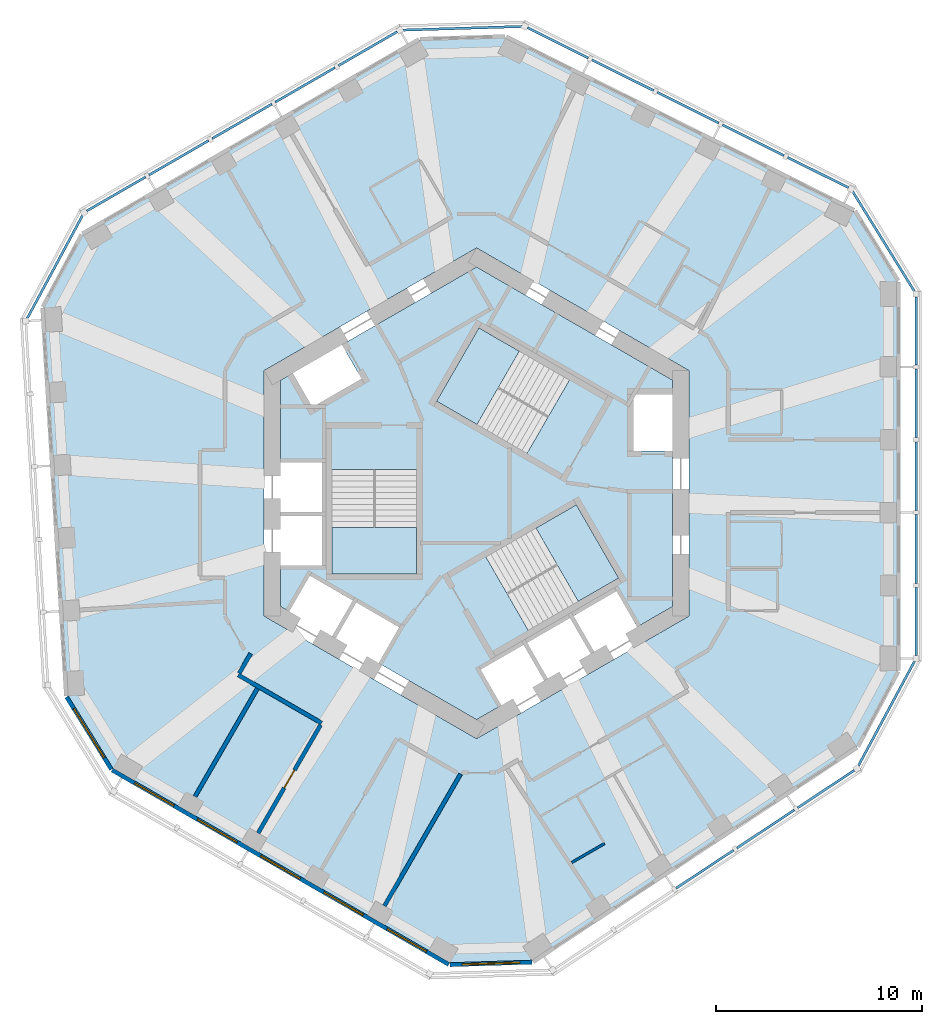
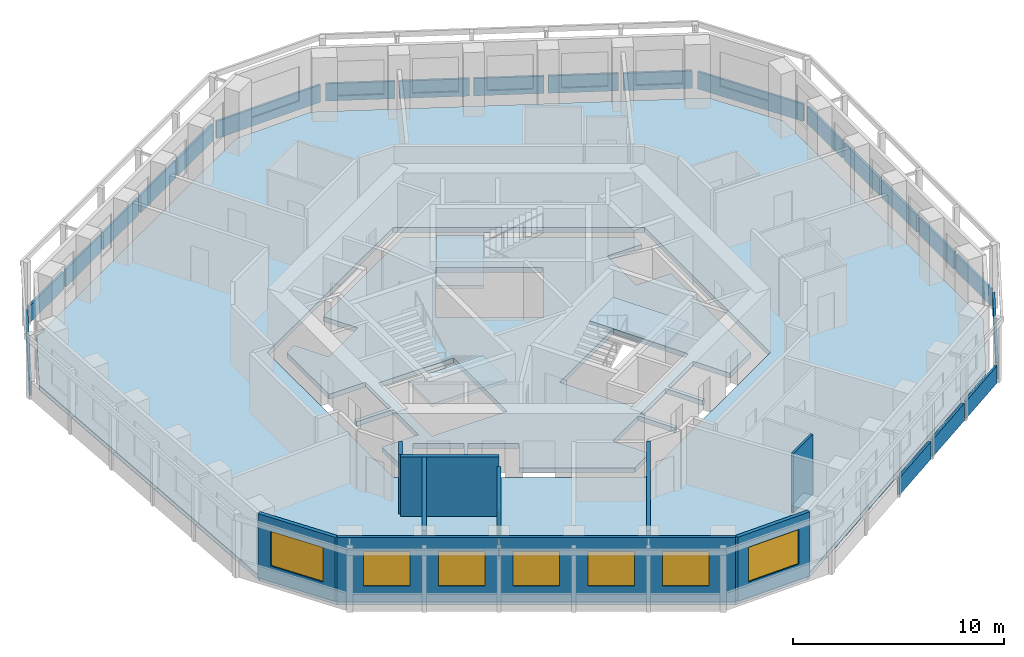
# One storey, part 3 of 11: 22 plates, 9 walls, 7 windows, 5 slabs, 1 door, 8 openings, 11 elements without a shape of their own.
"""IFC4 building model written with IfcOpenShell, lengths in metres."""

from ifc_helpers import new_model, si_unit, direction, frame, frame_2d, origin, origin_2d, place, context, subcontext, project, spatial, polyline, rectangle, outline, extrude, material, layer, layer_set, type_object, element, fill, aggregate, save


model = new_model("IFC4")

# Units and contexts
model_context = context("Model", 3, precision=1e-05, world=origin(), true_north=direction((0.0, 1.0)))
body_context = subcontext(model_context, "Body", "Model", "MODEL_VIEW")
ifc_project = project(units=[si_unit("LENGTHUNIT", "METRE"), si_unit("AREAUNIT", "SQUARE_METRE"), si_unit("VOLUMEUNIT", "CUBIC_METRE"), si_unit("PLANEANGLEUNIT", "RADIAN"), si_unit("MASSUNIT", "GRAM", prefix="KILO")], contexts=[model_context])

# Site, building, storey
site_placement = place(None, origin())
site = spatial("IfcSite", under=ifc_project, at=site_placement, CompositionType="ELEMENT")
building_placement = place(site_placement, origin())
building = spatial("IfcBuilding", under=site, at=building_placement, Name="Vanh Sen Convention Tower", CompositionType="ELEMENT")
storey_placement = place(building_placement, frame((0.0, 0.0, 221.699951171875)))
storey = spatial("IfcBuildingStorey", under=building, at=storey_placement, Name="L54", CompositionType="ELEMENT", Elevation=221.699951171875)

# Slabs
ifc_material_1 = material(Name="Concrete C40/50", Category="concrete")
ifc_layer_1 = layer(ifc_material_1, 0.280029296875)
ifc_layer_set_1 = layer_set([ifc_layer_1], Name="Concrete C40/50")
slab_type_1 = type_object("IfcSlabType", Name="Core slab 280", PredefinedType="FLOOR", material=ifc_layer_set_1)
slab_1_placement = place(storey_placement, frame((0.0, 0.0, -0.280029296875)))
element("IfcSlab", 1, at=slab_1_placement, inside=storey, type_object=slab_type_1, Name="Core slab L54", PredefinedType="FLOOR", context=body_context, shape_type="SweptSolid", body=[
    extrude(outline(polyline([(0.0, 10.9697265625), (9.5, 5.48486328125), (9.5, 4.800048828125), (7.60009765625, 4.800048828125), (7.60009765625, 2.050048828125), (9.5, 2.050048828125), (9.5, -5.48486328125), (7.781005859375, -6.477294921875), (6.781005859375, -4.7451171875), (4.70263671875, -5.9453125), (5.70263671875, -7.67724609375), (5.529296875, -7.777099609375), (4.529296875, -6.045166015625), (2.450927734375, -7.2451171875), (3.450927734375, -8.977294921875), (3.27783203125, -9.0771484375), (2.27783203125, -7.34521484375), (0.19921875, -8.545166015625), (1.19921875, -10.277099609375), (0.0, -10.9697265625), (-4.75, -8.227294921875), (-3.75, -6.4951171875), (-5.82861328125, -5.295166015625), (-6.82861328125, -7.027099609375), (-7.001708984375, -6.92724609375), (-6.001708984375, -5.1953125), (-8.080078125, -3.9951171875), (-9.080078125, -5.727294921875), (-9.5, -5.48486328125), (-9.5, -3.5), (-7.5, -3.5), (-7.5, -1.10009765625), (-9.5, -1.10009765625), (-9.5, -0.89990234375), (-7.5, -0.89990234375), (-7.5, 1.5), (-9.5, 1.5), (-9.5, 5.48486328125), (-8.906982421875, 5.8271484375), (-7.956787109375, 4.181884765625), (-5.575439453125, 5.556884765625), (-6.525390625, 7.2021484375), (0.0, 10.9697265625)]), holes=[polyline([(-7.0, 1.1494140625), (-7.0, -3.909912109375), (-2.89990234375, -3.909912109375), (-2.89990234375, 1.1494140625), (-7.0, 1.1494140625)]), polyline([(2.504638671875, -6.63671875), (6.88623046875, -4.107177734375), (4.836181640625, -0.556396484375), (0.45458984375, -3.086181640625), (2.504638671875, -6.63671875)]), polyline([(0.11376953125, 8.01708984375), (-1.936279296875, 4.466552734375), (2.4453125, 1.936767578125), (4.495361328125, 5.487548828125), (0.11376953125, 8.01708984375)])]), origin(), (0.0, 0.0, 1.0), 0.280029296875),
])
ifc_layer_2 = layer(ifc_material_1, 0.280029296875)
ifc_layer_set_2 = layer_set([ifc_layer_2], Name="Concrete C40/50")
slab_type_2 = type_object("IfcSlabType", Name="Floor slab 280 REI 120", PredefinedType="FLOOR", material=ifc_layer_set_2)
slab_2_placement = place(storey_placement, frame((0.0, 0.0, -0.280029296875)))
element("IfcSlab", 2, at=slab_2_placement, inside=storey, type_object=slab_type_2, Name="Floor slab L54 tower", PredefinedType="FLOOR", context=body_context, shape_type="SweptSolid", body=[
    extrude(outline(polyline([(20.39990234375, -8.602783203125), (20.39990234375, 10.265380859375), (18.289306640625, 13.67626953125), (1.403564453125, 22.09521484375), (-2.749755859375, 21.96826171875), (-19.090087890625, 12.5341796875), (-20.988525390625, 9.000732421875), (-19.8369140625, -9.83203125), (-17.650146484375, -13.365478515625), (-1.309814453125, -22.799560546875), (2.699462890625, -22.677001953125), (18.433349609375, -12.26318359375), (20.39990234375, -8.602783203125)]), holes=[polyline([(0.0, 11.893310546875), (-10.300048828125, 5.94677734375), (-10.300048828125, -5.94677734375), (0.0, -11.893310546875), (10.300048828125, -5.94677734375), (10.300048828125, 5.94677734375), (0.0, 11.893310546875)])]), origin(), (0.0, 0.0, 1.0), 0.280029296875),
])

# Curtain wall, plates
ifc_material_2 = material(Name="Concrete C50/60", Category="concrete")
curtain_wall_type = type_object("IfcCurtainWallType", Name="Outer skin office zone", PredefinedType="NOTDEFINED", material=ifc_material_2)
curtain_wall_1_placement = place(storey_placement, origin())
curtain_wall_1 = element("IfcCurtainWall", 3, at=curtain_wall_1_placement, inside=storey, type_object=curtain_wall_type, Name="OUTER SKIN E L54", PredefinedType="NOTDEFINED")
ifc_layer_3 = layer(ifc_material_2, 0.1201171875)
ifc_layer_set_3 = layer_set([ifc_layer_3], Name="Concrete C50/60")
plate_type = type_object("IfcPlateType", Name="Outer skin precast screen panel 120", PredefinedType="CURTAIN_PANEL", material=ifc_layer_set_3)
plate_1_placement = place(storey_placement, frame((21.300048828125, -6.2109375, 0.0), z_axis=(0.0, 0.0, 1.0), x_axis=(0.0, 1.0, 0.0)))
plate_1 = element("IfcPlate", 4, at=plate_1_placement, type_object=plate_type, Name="OUTER SKIN screen panel E-1", PredefinedType="CURTAIN_PANEL", context=body_context, shape_type="SweptSolid", body=[
    extrude(rectangle(XDim=3.28369140625, YDim=0.1201171875, at=origin_2d()), origin(), (0.0, 0.0, 1.0), 1.0),
])
plate_2_placement = place(storey_placement, frame((21.300048828125, -2.702392578125, 0.0), z_axis=(0.0, 0.0, 1.0), x_axis=(0.0, 1.0, 0.0)))
plate_2 = element("IfcPlate", 5, at=plate_2_placement, type_object=plate_type, Name="OUTER SKIN screen panel E-2", PredefinedType="CURTAIN_PANEL", context=body_context, shape_type="SweptSolid", body=[
    extrude(rectangle(XDim=3.333740234375, YDim=0.1201171875, at=origin_2d()), origin(), (0.0, 0.0, 1.0), 1.0),
])
plate_3_placement = place(storey_placement, frame((21.300048828125, 0.831298828125, 0.0), z_axis=(0.0, 0.0, 1.0), x_axis=(0.0, 1.0, 0.0)))
plate_3 = element("IfcPlate", 6, at=plate_3_placement, type_object=plate_type, Name="OUTER SKIN screen panel E-3", PredefinedType="CURTAIN_PANEL", context=body_context, shape_type="SweptSolid", body=[
    extrude(rectangle(XDim=3.33349609375, YDim=0.1201171875, at=origin_2d()), origin(), (0.0, 0.0, 1.0), 1.0),
])
plate_4_placement = place(storey_placement, frame((21.300048828125, 4.364990234375, 0.0), z_axis=(0.0, 0.0, 1.0), x_axis=(0.0, 1.0, 0.0)))
plate_4 = element("IfcPlate", 7, at=plate_4_placement, type_object=plate_type, Name="OUTER SKIN screen panel E-4", PredefinedType="CURTAIN_PANEL", context=body_context, shape_type="SweptSolid", body=[
    extrude(rectangle(XDim=3.33349609375, YDim=0.1201171875, at=origin_2d()), origin(), (0.0, 0.0, 1.0), 1.0),
])
plate_5_placement = place(storey_placement, frame((21.300048828125, 7.87353515625, 0.0), z_axis=(0.0, 0.0, 1.0), x_axis=(0.0, 1.0, 0.0)))
plate_5 = element("IfcPlate", 8, at=plate_5_placement, type_object=plate_type, Name="OUTER SKIN screen panel E-5", PredefinedType="CURTAIN_PANEL", context=body_context, shape_type="SweptSolid", body=[
    extrude(rectangle(XDim=3.28369140625, YDim=0.1201171875, at=origin_2d()), origin(), (0.0, 0.0, 1.0), 1.0),
])
aggregate(curtain_wall_1, [plate_1, plate_2, plate_3, plate_4, plate_5])

# Curtain wall, plate
curtain_wall_2_placement = place(storey_placement, origin())
curtain_wall_2 = element("IfcCurtainWall", 9, at=curtain_wall_2_placement, inside=storey, type_object=curtain_wall_type, Name="OUTER SKIN CH1 L54", PredefinedType="NOTDEFINED")
plate_6_placement = place(storey_placement, frame((19.726806640625, 12.20751953125, 0.0), z_axis=(0.0, 0.0, 1.0), x_axis=(-0.526216891938, 0.850350388157, 0.0)))
plate_6 = element("IfcPlate", 10, at=plate_6_placement, type_object=plate_type, Name="OUTER SKIN screen panel CH1-1", PredefinedType="CURTAIN_PANEL", context=body_context, shape_type="SweptSolid", body=[
    extrude(rectangle(XDim=5.6787109375, YDim=0.1201171875, at=origin_2d()), origin(), (0.0, 0.0, 1.0), 1.0),
])
aggregate(curtain_wall_2, [plate_6])

# Curtain wall, plates
curtain_wall_3_placement = place(storey_placement, origin())
curtain_wall_3 = element("IfcCurtainWall", 11, at=curtain_wall_3_placement, inside=storey, type_object=curtain_wall_type, Name="OUTER SKIN NE L54", PredefinedType="NOTDEFINED")
plate_7_placement = place(storey_placement, frame((16.55029296875, 15.549072265625, 0.0), z_axis=(0.0, 0.0, 1.0), x_axis=(-0.894930467757, 0.446205622868, 0.0)))
plate_7 = element("IfcPlate", 12, at=plate_7_placement, type_object=plate_type, Name="OUTER SKIN screen panel NE-1", PredefinedType="CURTAIN_PANEL", context=body_context, shape_type="SweptSolid", body=[
    extrude(rectangle(XDim=3.28369140625, YDim=0.1201171875, at=origin_2d()), origin(), (0.0, 0.0, 1.0), 1.0),
])
plate_8_placement = place(storey_placement, frame((13.410400390625, 17.114501953125, 0.0), z_axis=(0.0, 0.0, 1.0), x_axis=(-0.894935919121, 0.446194689197, 0.0)))
plate_8 = element("IfcPlate", 13, at=plate_8_placement, type_object=plate_type, Name="OUTER SKIN screen panel NE-2", PredefinedType="CURTAIN_PANEL", context=body_context, shape_type="SweptSolid", body=[
    extrude(rectangle(XDim=3.333740234375, YDim=0.1201171875, at=origin_2d()), origin(), (0.0, 0.0, 1.0), 1.0),
])
plate_9_placement = place(storey_placement, frame((10.248046875, 18.691162109375, 0.0), z_axis=(0.0, 0.0, 1.0), x_axis=(-0.894935919121, 0.446194689197, 0.0)))
plate_9 = element("IfcPlate", 14, at=plate_9_placement, type_object=plate_type, Name="OUTER SKIN screen panel NE-3", PredefinedType="CURTAIN_PANEL", context=body_context, shape_type="SweptSolid", body=[
    extrude(rectangle(XDim=3.333740234375, YDim=0.1201171875, at=origin_2d()), origin(), (0.0, 0.0, 1.0), 1.0),
])
plate_10_placement = place(storey_placement, frame((7.085693359375, 20.267822265625, 0.0), z_axis=(0.0, 0.0, 1.0), x_axis=(-0.894935919121, 0.446194689197, 0.0)))
plate_10 = element("IfcPlate", 15, at=plate_10_placement, type_object=plate_type, Name="OUTER SKIN screen panel NE-4", PredefinedType="CURTAIN_PANEL", context=body_context, shape_type="SweptSolid", body=[
    extrude(rectangle(XDim=3.333740234375, YDim=0.1201171875, at=origin_2d()), origin(), (0.0, 0.0, 1.0), 1.0),
])
plate_11_placement = place(storey_placement, frame((3.945556640625, 21.83349609375, 0.0), z_axis=(0.0, 0.0, 1.0), x_axis=(-0.894930467757, 0.446205622868, 0.0)))
plate_11 = element("IfcPlate", 16, at=plate_11_placement, type_object=plate_type, Name="OUTER SKIN screen panel NE-5", PredefinedType="CURTAIN_PANEL", context=body_context, shape_type="SweptSolid", body=[
    extrude(rectangle(XDim=3.28369140625, YDim=0.1201171875, at=origin_2d()), origin(), (0.0, 0.0, 1.0), 1.0),
])
aggregate(curtain_wall_3, [plate_7, plate_8, plate_9, plate_10, plate_11])

# Curtain wall, plate
curtain_wall_4_placement = place(storey_placement, origin())
curtain_wall_4 = element("IfcCurtainWall", 17, at=curtain_wall_4_placement, inside=storey, type_object=curtain_wall_type, Name="OUTER SKIN CH2 L54", PredefinedType="NOTDEFINED")
plate_12_placement = place(storey_placement, frame((-0.688720703125, 22.540283203125, 0.0), z_axis=(0.0, 0.0, 1.0), x_axis=(-0.999533430924, -0.030543746755, 0.0)))
plate_12 = element("IfcPlate", 18, at=plate_12_placement, type_object=plate_type, Name="OUTER SKIN screen panel CH2-1", PredefinedType="CURTAIN_PANEL", context=body_context, shape_type="SweptSolid", body=[
    extrude(rectangle(XDim=5.764404296875, YDim=0.1201171875, at=origin_2d()), origin(), (0.0, 0.0, 1.0), 1.0),
])
aggregate(curtain_wall_4, [plate_12])

# Curtain wall, plates
curtain_wall_5_placement = place(storey_placement, origin())
curtain_wall_5 = element("IfcCurtainWall", 19, at=curtain_wall_5_placement, inside=storey, type_object=curtain_wall_type, Name="OUTER SKIN NW L54", PredefinedType="NOTDEFINED")
plate_13_placement = place(storey_placement, frame((-5.271240234375, 21.5517578125, 0.0), z_axis=(0.0, 0.0, 1.0), x_axis=(-0.866026276448, -0.4999984885, 0.0)))
plate_13 = element("IfcPlate", 20, at=plate_13_placement, type_object=plate_type, Name="OUTER SKIN screen panel NW-1", PredefinedType="CURTAIN_PANEL", context=body_context, shape_type="SweptSolid", body=[
    extrude(rectangle(XDim=3.28369140625, YDim=0.1201171875, at=origin_2d()), origin(), (0.0, 0.0, 1.0), 1.0),
])
plate_14_placement = place(storey_placement, frame((-8.309814453125, 19.797607421875, 0.0), z_axis=(0.0, 0.0, 1.0), x_axis=(-0.866026276448, -0.4999984885, 0.0)))
plate_14 = element("IfcPlate", 21, at=plate_14_placement, type_object=plate_type, Name="OUTER SKIN screen panel NW-2", PredefinedType="CURTAIN_PANEL", context=body_context, shape_type="SweptSolid", body=[
    extrude(rectangle(XDim=3.33349609375, YDim=0.1201171875, at=origin_2d()), origin(), (0.0, 0.0, 1.0), 1.0),
])
plate_15_placement = place(storey_placement, frame((-11.369873046875, 18.03076171875, 0.0), z_axis=(0.0, 0.0, 1.0), x_axis=(-0.866026276448, -0.4999984885, 0.0)))
plate_15 = element("IfcPlate", 22, at=plate_15_placement, type_object=plate_type, Name="OUTER SKIN screen panel NW-3", PredefinedType="CURTAIN_PANEL", context=body_context, shape_type="SweptSolid", body=[
    extrude(rectangle(XDim=3.33349609375, YDim=0.1201171875, at=origin_2d()), origin(), (0.0, 0.0, 1.0), 1.0),
])
plate_16_placement = place(storey_placement, frame((-14.43017578125, 16.263916015625, 0.0), z_axis=(0.0, 0.0, 1.0), x_axis=(-0.866014058921, -0.500019649364, 0.0)))
plate_16 = element("IfcPlate", 23, at=plate_16_placement, type_object=plate_type, Name="OUTER SKIN screen panel NW-4", PredefinedType="CURTAIN_PANEL", context=body_context, shape_type="SweptSolid", body=[
    extrude(rectangle(XDim=3.333740234375, YDim=0.1201171875, at=origin_2d()), origin(), (0.0, 0.0, 1.0), 1.0),
])
plate_17_placement = place(storey_placement, frame((-17.46875, 14.509521484375, 0.0), z_axis=(0.0, 0.0, 1.0), x_axis=(-0.866033257659, -0.499986396443, 0.0)))
plate_17 = element("IfcPlate", 24, at=plate_17_placement, type_object=plate_type, Name="OUTER SKIN screen panel NW-5", PredefinedType="CURTAIN_PANEL", context=body_context, shape_type="SweptSolid", body=[
    extrude(rectangle(XDim=3.28369140625, YDim=0.1201171875, at=origin_2d()), origin(), (0.0, 0.0, 1.0), 1.0),
])
aggregate(curtain_wall_5, [plate_13, plate_14, plate_15, plate_16, plate_17])

# Curtain wall, plate
curtain_wall_6_placement = place(storey_placement, origin())
curtain_wall_6 = element("IfcCurtainWall", 25, at=curtain_wall_6_placement, inside=storey, type_object=curtain_wall_type, Name="OUTER SKIN CH3 L54", PredefinedType="NOTDEFINED")
plate_18_placement = place(storey_placement, frame((-20.435302734375, 10.980224609375, 0.0), z_axis=(0.0, 0.0, 1.0), x_axis=(-0.473307367584, -0.880897346909, 0.0)))
plate_18 = element("IfcPlate", 26, at=plate_18_placement, type_object=plate_type, Name="OUTER SKIN screen panel CH3-1", PredefinedType="CURTAIN_PANEL", context=body_context, shape_type="SweptSolid", body=[
    extrude(rectangle(XDim=5.6787109375, YDim=0.1201171875, at=origin_2d()), origin(), (0.0, 0.0, 1.0), 1.0),
])
aggregate(curtain_wall_6, [plate_18])

# Curtain wall, plates
curtain_wall_7_placement = place(storey_placement, origin())
curtain_wall_7 = element("IfcCurtainWall", 27, at=curtain_wall_7_placement, inside=storey, type_object=curtain_wall_type, Name="OUTER SKIN SE L54", PredefinedType="NOTDEFINED")
plate_19_placement = place(storey_placement, frame((11.06298828125, -18.220703125, 0.0), z_axis=(0.0, 0.0, 1.0), x_axis=(0.833896418343, 0.551920975752, 0.0)))
plate_19 = element("IfcPlate", 28, at=plate_19_placement, type_object=plate_type, Name="OUTER SKIN screen panel SE-3", PredefinedType="CURTAIN_PANEL", context=body_context, shape_type="SweptSolid", body=[
    extrude(rectangle(XDim=3.333740234375, YDim=0.1201171875, at=origin_2d()), origin(), (0.0, 0.0, 1.0), 1.0),
])
plate_20_placement = place(storey_placement, frame((14.009765625, -16.270263671875, 0.0), z_axis=(0.0, 0.0, 1.0), x_axis=(0.833874262143, 0.551954450055, 0.0)))
plate_20 = element("IfcPlate", 29, at=plate_20_placement, type_object=plate_type, Name="OUTER SKIN screen panel SE-4", PredefinedType="CURTAIN_PANEL", context=body_context, shape_type="SweptSolid", body=[
    extrude(rectangle(XDim=3.33349609375, YDim=0.1201171875, at=origin_2d()), origin(), (0.0, 0.0, 1.0), 1.0),
])
plate_21_placement = place(storey_placement, frame((16.935546875, -14.333740234375, 0.0), z_axis=(0.0, 0.0, 1.0), x_axis=(0.833896418343, 0.551920975752, 0.0)))
plate_21 = element("IfcPlate", 30, at=plate_21_placement, type_object=plate_type, Name="OUTER SKIN screen panel SE-5", PredefinedType="CURTAIN_PANEL", context=body_context, shape_type="SweptSolid", body=[
    extrude(rectangle(XDim=3.28369140625, YDim=0.1201171875, at=origin_2d()), origin(), (0.0, 0.0, 1.0), 1.0),
])
aggregate(curtain_wall_7, [plate_19, plate_20, plate_21])

# Curtain wall, plate
curtain_wall_8_placement = place(storey_placement, origin())
curtain_wall_8 = element("IfcCurtainWall", 31, at=curtain_wall_8_placement, inside=storey, type_object=curtain_wall_type, Name="OUTER SKIN CH6 L54", PredefinedType="NOTDEFINED")
plate_22_placement = place(storey_placement, frame((19.864990234375, -10.673828125, 0.0), z_axis=(0.0, 0.0, 1.0), x_axis=(0.473313517396, 0.880894042579, 0.0)))
plate_22 = element("IfcPlate", 32, at=plate_22_placement, type_object=plate_type, Name="OUTER SKIN screen panel CH6-1", PredefinedType="CURTAIN_PANEL", context=body_context, shape_type="SweptSolid", body=[
    extrude(rectangle(XDim=5.76416015625, YDim=0.1201171875, at=origin_2d()), origin(), (0.0, 0.0, 1.0), 1.0),
])
aggregate(curtain_wall_8, [plate_22])

# Stair, slab
ifc_material_3 = material(Name="Concrete C50/60", Category="concrete")
stair_type_1 = type_object("IfcStairType", Name="Exit stair ST1 22 risers at 168.2", PredefinedType="HALF_TURN_STAIR", material=ifc_material_3)
stair_1_placement = place(storey_placement, origin())
stair_1 = element("IfcStair", 33, at=stair_1_placement, inside=storey, type_object=stair_type_1, Name="Exit stair ST1 L54", PredefinedType="HALF_TURN_STAIR")
ifc_layer_4 = layer(ifc_material_1, 0.199951171875)
ifc_layer_set_4 = layer_set([ifc_layer_4], Name="Concrete C40/50")
slab_type_3 = type_object("IfcSlabType", Name="Stair landing 200", PredefinedType="LANDING", material=ifc_layer_set_4)
slab_3_placement = place(storey_placement, frame((0.0, 0.0, 1.650146484375)))
slab_3 = element("IfcSlab", 34, at=slab_3_placement, type_object=slab_type_3, Name="ST1 landing 1", PredefinedType="LANDING", context=body_context, shape_type="SweptSolid", body=[
    extrude(outline(polyline([(2.07177734375, 6.88671875), (0.11376953125, 8.01708984375), (-1.936279296875, 4.466552734375), (0.021728515625, 3.336181640625), (2.07177734375, 6.88671875)])), origin(), (0.0, 0.0, 1.0), 0.199951171875),
])
aggregate(stair_1, [slab_3])

stair_type_2 = type_object("IfcStairType", Name="Exit stair ST2 22 risers at 168.2", PredefinedType="HALF_TURN_STAIR", material=ifc_material_3)
stair_2_placement = place(storey_placement, origin())
stair_2 = element("IfcStair", 35, at=stair_2_placement, inside=storey, type_object=stair_type_2, Name="Exit stair ST2 L54", PredefinedType="HALF_TURN_STAIR")
slab_4_placement = place(storey_placement, frame((0.0, 0.0, 1.650146484375)))
slab_4 = element("IfcSlab", 36, at=slab_4_placement, type_object=slab_type_3, Name="ST2 landing 1", PredefinedType="LANDING", context=body_context, shape_type="SweptSolid", body=[
    extrude(outline(polyline([(-7.0, -1.6494140625), (-7.0, -3.909912109375), (-2.89990234375, -3.909912109375), (-2.89990234375, -1.6494140625), (-7.0, -1.6494140625)])), origin(), (0.0, 0.0, 1.0), 0.199951171875),
])
aggregate(stair_2, [slab_4])

stair_type_3 = type_object("IfcStairType", Name="Exit stair ST3 22 risers at 168.2", PredefinedType="HALF_TURN_STAIR", material=ifc_material_3)
stair_3_placement = place(storey_placement, origin())
stair_3 = element("IfcStair", 37, at=stair_3_placement, inside=storey, type_object=stair_type_3, Name="Exit stair ST3 L54", PredefinedType="HALF_TURN_STAIR")
slab_5_placement = place(storey_placement, frame((0.0, 0.0, 1.650146484375)))
slab_5 = element("IfcSlab", 38, at=slab_5_placement, type_object=slab_type_3, Name="ST3 landing 1", PredefinedType="LANDING", context=body_context, shape_type="SweptSolid", body=[
    extrude(outline(polyline([(4.92822265625, -5.237548828125), (6.88623046875, -4.107177734375), (4.836181640625, -0.556396484375), (2.87841796875, -1.686767578125), (4.92822265625, -5.237548828125)])), origin(), (0.0, 0.0, 1.0), 0.199951171875),
])
aggregate(stair_3, [slab_5])

# Walls
ifc_material_4 = material(Name="Moisture-resistant gypsum board on steel studs", Category="steel")
ifc_layer_5 = layer(ifc_material_4, 0.1201171875)
ifc_layer_set_5 = layer_set([ifc_layer_5], Name="Moisture-resistant gypsum board on steel studs")
wall_type_1 = type_object("IfcWallType", Name="Bathroom partition 120", PredefinedType="PARTITIONING", material=ifc_layer_set_5)
wall_1_placement = place(storey_placement, frame((4.60986328125, -17.893310546875, 0.0), z_axis=(0.0, 0.0, 1.0), x_axis=(0.866023842607, 0.500002704028, 0.0)))
element("IfcWall", 39, at=wall_1_placement, inside=storey, type_object=wall_type_1, Name="Bathroom partition 120", PredefinedType="PARTITIONING", context=body_context, shape_type="SweptSolid", body=[
    extrude(rectangle(XDim=1.8349609375, YDim=0.1201171875, at=frame_2d((0.91748046875, 0.0))), origin(), (0.0, 0.0, 1.0), 3.420166015625),
])
ifc_material_5 = material(Name="Gypsum board on steel studs with mineral wool", Category="steel")
ifc_layer_6 = layer(ifc_material_5, 0.199951171875)
ifc_layer_set_6 = layer_set([ifc_layer_6], Name="Gypsum board on steel studs with mineral wool")
wall_type_2 = type_object("IfcWallType", Name="Corridor partition wall 200", PredefinedType="PARTITIONING", material=ifc_layer_set_6)
wall_2_placement = place(storey_placement, frame((-11.551025390625, -8.80517578125, 0.0), z_axis=(0.0, 0.0, 1.0), x_axis=(0.866038310922, -0.499977643516, 0.0)))
element("IfcWall", 40, at=wall_2_placement, inside=storey, type_object=wall_type_2, Name="Corridor partition wall 200", PredefinedType="PARTITIONING", context=body_context, shape_type="SweptSolid", body=[
    extrude(rectangle(XDim=4.665283203125, YDim=0.199951171875, at=frame_2d((2.33251953125, 0.0))), origin(), (0.0, 0.0, 1.0), 3.420166015625),
])
wall_3_placement = place(storey_placement, frame((-10.95068359375, -7.764892578125, 0.0), z_axis=(0.0, 0.0, 1.0), x_axis=(-0.499978356969, -0.866037899034, 0.0)))
element("IfcWall", 41, at=wall_3_placement, inside=storey, type_object=wall_type_2, Name="Corridor partition wall 200", PredefinedType="PARTITIONING", context=body_context, shape_type="SweptSolid", body=[
    extrude(rectangle(XDim=1.10107421875, YDim=0.199951171875, at=frame_2d((0.550537109375, 0.0))), origin(), (0.0, 0.0, 1.0), 3.420166015625),
])

# Wall, opening, door
wall_4_placement = place(storey_placement, frame((-10.585205078125, -16.462890625, 0.0), z_axis=(0.0, 0.0, 1.0), x_axis=(0.499993802756, 0.866028981735, 0.0)))
wall_4 = element("IfcWall", 42, at=wall_4_placement, inside=storey, type_object=wall_type_2, Name="Corridor partition wall 200", PredefinedType="PARTITIONING", context=body_context, shape_type="SweptSolid", body=[
    extrude(rectangle(XDim=6.048828125, YDim=0.199951171875, at=frame_2d((3.0244140625, 0.0))), origin(), (0.0, 0.0, 1.0), 2.8701171875),
])
opening_1_placement = place(wall_4_placement, frame((2.5244140625, 0.0, 0.0)))
opening_1 = element("IfcOpeningElement", 43, at=opening_1_placement, cuts=wall_4, Name="Opening D52110", PredefinedType="OPENING", context=body_context, shape_type="SweptSolid", body=[
    extrude(rectangle(XDim=1.0, YDim=2.10009765625, at=frame_2d((0.5, 1.050048828125))), frame((0.0, 0.10986328125, 0.0), z_axis=(0.0, -1.0, 0.0), x_axis=(1.0, 0.0, 0.0)), (0.0, 0.0, 1.0), 0.219970703125),
])
ifc_material_6 = material(Name="Glazed fire door in steel frame", Category="steel")
door_type = type_object("IfcDoorType", Name="Tenant entrance door 1000", OperationType="SINGLE_SWING_LEFT", PredefinedType="DOOR", material=ifc_material_6)
door_placement = place(opening_1_placement, origin())
door = element("IfcDoor", 44, at=door_placement, inside=storey, type_object=door_type, Name="Tenant suite entrance door D52110", OperationType="SINGLE_SWING_LEFT", OverallHeight=2.10009765625, OverallWidth=1.0, PredefinedType="DOOR", context=body_context, shape_type="SweptSolid", body=[
    extrude(rectangle(XDim=1.0, YDim=2.10009765625, at=frame_2d((0.5, 1.050048828125))), frame((0.0, 0.02490234375, 0.0), z_axis=(0.0, -1.0, 0.0), x_axis=(1.0, 0.0, 0.0)), (0.0, 0.0, 1.0), 0.050048828125),
])
fill(opening_1, door)

# Wall, opening, window
ifc_material_7 = material(Name="Insulated lightweight infill wall")
ifc_layer_7 = layer(ifc_material_7, 0.199951171875)
ifc_layer_set_7 = layer_set([ifc_layer_7], Name="Insulated lightweight infill wall")
wall_type_3 = type_object("IfcWallType", Name="External wall 200", PredefinedType="STANDARD", material=ifc_layer_set_7)
wall_5_placement = place(storey_placement, frame((-19.872802734375, -9.869140625, 0.0), z_axis=(0.0, 0.0, 1.0), x_axis=(0.52626914263, -0.850318051975, 0.0)))
wall_5 = element("IfcWall", 45, at=wall_5_placement, inside=storey, type_object=wall_type_3, Name="External wall CH4 L54", PredefinedType="STANDARD", context=body_context, shape_type="SweptSolid", body=[
    extrude(rectangle(XDim=4.130126953125, YDim=0.199951171875, at=frame_2d((2.06494140625, 0.0))), origin(), (0.0, 0.0, 1.0), 3.699951171875),
])
opening_2_placement = place(wall_5_placement, frame((0.6650390625, 0.0, 0.89990234375)))
opening_2 = element("IfcOpeningElement", 46, at=opening_2_placement, cuts=wall_5, Name="Opening WO4-CH41", PredefinedType="OPENING", context=body_context, shape_type="SweptSolid", body=[
    extrude(rectangle(XDim=2.800048828125, YDim=2.0, at=frame_2d((1.39990234375, 1.0))), frame((0.0, 0.10986328125, 0.0), z_axis=(0.0, -1.0, 0.0), x_axis=(1.0, 0.0, 0.0)), (0.0, 0.0, 1.0), 0.219970703125),
])
ifc_material_8 = material(Name="Aluminium frame with clear low-emissivity glass", Category="aluminium")
window_type_1 = type_object("IfcWindowType", Name="Office window 2800 x 2000", PartitioningType="SINGLE_PANEL", PredefinedType="WINDOW", material=ifc_material_8)
window_1_placement = place(opening_2_placement, origin())
window_1 = element("IfcWindow", 47, at=window_1_placement, inside=storey, type_object=window_type_1, Name="Window WO4-CH41", OverallHeight=2.0, OverallWidth=2.800048828125, PartitioningType="SINGLE_PANEL", PredefinedType="WINDOW", context=body_context, shape_type="SweptSolid", body=[
    extrude(rectangle(XDim=2.800048828125, YDim=2.0, at=frame_2d((1.39990234375, 1.0))), frame((0.0, 0.030029296875, 0.0), z_axis=(0.0, -1.0, 0.0), x_axis=(1.0, 0.0, 0.0)), (0.0, 0.0, 1.0), 0.06005859375),
])
fill(opening_2, window_1)

# Wall, openings, windows
wall_6_placement = place(storey_placement, frame((-17.664306640625, -13.4150390625, 0.0), z_axis=(0.0, 0.0, 1.0), x_axis=(0.866026555358, -0.49999800541, 0.0)))
wall_6 = element("IfcWall", 48, at=wall_6_placement, inside=storey, type_object=wall_type_3, Name="External wall SW L54", PredefinedType="STANDARD", context=body_context, shape_type="SweptSolid", body=[
    extrude(rectangle(XDim=18.84130859375, YDim=0.199951171875, at=frame_2d((9.420654296875, 0.0))), origin(), (0.0, 0.0, 1.0), 3.699951171875),
])
opening_3_placement = place(wall_6_placement, frame((1.254150390625, 0.0, 0.89990234375)))
opening_3 = element("IfcOpeningElement", 49, at=opening_3_placement, cuts=wall_6, Name="Opening WO3-SW1", PredefinedType="OPENING", context=body_context, shape_type="SweptSolid", body=[
    extrude(rectangle(XDim=2.199951171875, YDim=2.0, at=frame_2d((1.10009765625, 1.0))), frame((0.0, 0.10986328125, 0.0), z_axis=(0.0, -1.0, 0.0), x_axis=(1.0, 0.0, 0.0)), (0.0, 0.0, 1.0), 0.219970703125),
])
opening_4_placement = place(wall_6_placement, frame((4.787841796875, 0.0, 0.89990234375)))
opening_4 = element("IfcOpeningElement", 50, at=opening_4_placement, cuts=wall_6, Name="Opening WO3-SW2", PredefinedType="OPENING", context=body_context, shape_type="SweptSolid", body=[
    extrude(rectangle(XDim=2.199951171875, YDim=2.0, at=frame_2d((1.10009765625, 1.0))), frame((0.0, 0.10986328125, 0.0), z_axis=(0.0, -1.0, 0.0), x_axis=(1.0, 0.0, 0.0)), (0.0, 0.0, 1.0), 0.219970703125),
])
opening_5_placement = place(wall_6_placement, frame((8.321533203125, 0.0, 0.89990234375)))
opening_5 = element("IfcOpeningElement", 51, at=opening_5_placement, cuts=wall_6, Name="Opening WO3-SW3", PredefinedType="OPENING", context=body_context, shape_type="SweptSolid", body=[
    extrude(rectangle(XDim=2.199951171875, YDim=2.0, at=frame_2d((1.10009765625, 1.0))), frame((0.0, 0.10986328125, 0.0), z_axis=(0.0, -1.0, 0.0), x_axis=(1.0, 0.0, 0.0)), (0.0, 0.0, 1.0), 0.219970703125),
])
opening_6_placement = place(wall_6_placement, frame((11.85498046875, 0.0, 0.89990234375)))
opening_6 = element("IfcOpeningElement", 52, at=opening_6_placement, cuts=wall_6, Name="Opening WO3-SW4", PredefinedType="OPENING", context=body_context, shape_type="SweptSolid", body=[
    extrude(rectangle(XDim=2.199951171875, YDim=2.0, at=frame_2d((1.10009765625, 1.0))), frame((0.0, 0.10986328125, 0.0), z_axis=(0.0, -1.0, 0.0), x_axis=(1.0, 0.0, 0.0)), (0.0, 0.0, 1.0), 0.219970703125),
])
opening_7_placement = place(wall_6_placement, frame((15.388671875, 0.0, 0.89990234375)))
opening_7 = element("IfcOpeningElement", 53, at=opening_7_placement, cuts=wall_6, Name="Opening WO3-SW5", PredefinedType="OPENING", context=body_context, shape_type="SweptSolid", body=[
    extrude(rectangle(XDim=2.199951171875, YDim=2.0, at=frame_2d((1.10009765625, 1.0))), frame((0.0, 0.10986328125, 0.0), z_axis=(0.0, -1.0, 0.0), x_axis=(1.0, 0.0, 0.0)), (0.0, 0.0, 1.0), 0.219970703125),
])
window_type_2 = type_object("IfcWindowType", Name="Office window 2200 x 2000", PartitioningType="SINGLE_PANEL", PredefinedType="WINDOW", material=ifc_material_8)
window_2_placement = place(opening_3_placement, origin())
window_2 = element("IfcWindow", 54, at=window_2_placement, inside=storey, type_object=window_type_2, Name="Window WO3-SW1", OverallHeight=2.0, OverallWidth=2.199951171875, PartitioningType="SINGLE_PANEL", PredefinedType="WINDOW", context=body_context, shape_type="SweptSolid", body=[
    extrude(rectangle(XDim=2.199951171875, YDim=2.0, at=frame_2d((1.10009765625, 1.0))), frame((0.0, 0.030029296875, 0.0), z_axis=(0.0, -1.0, 0.0), x_axis=(1.0, 0.0, 0.0)), (0.0, 0.0, 1.0), 0.06005859375),
])
fill(opening_3, window_2)
window_3_placement = place(opening_4_placement, origin())
window_3 = element("IfcWindow", 55, at=window_3_placement, inside=storey, type_object=window_type_2, Name="Window WO3-SW2", OverallHeight=2.0, OverallWidth=2.199951171875, PartitioningType="SINGLE_PANEL", PredefinedType="WINDOW", context=body_context, shape_type="SweptSolid", body=[
    extrude(rectangle(XDim=2.199951171875, YDim=2.0, at=frame_2d((1.10009765625, 1.0))), frame((0.0, 0.030029296875, 0.0), z_axis=(0.0, -1.0, 0.0), x_axis=(1.0, 0.0, 0.0)), (0.0, 0.0, 1.0), 0.06005859375),
])
fill(opening_4, window_3)
window_4_placement = place(opening_5_placement, origin())
window_4 = element("IfcWindow", 56, at=window_4_placement, inside=storey, type_object=window_type_2, Name="Window WO3-SW3", OverallHeight=2.0, OverallWidth=2.199951171875, PartitioningType="SINGLE_PANEL", PredefinedType="WINDOW", context=body_context, shape_type="SweptSolid", body=[
    extrude(rectangle(XDim=2.199951171875, YDim=2.0, at=frame_2d((1.10009765625, 1.0))), frame((0.0, 0.030029296875, 0.0), z_axis=(0.0, -1.0, 0.0), x_axis=(1.0, 0.0, 0.0)), (0.0, 0.0, 1.0), 0.06005859375),
])
fill(opening_5, window_4)
window_5_placement = place(opening_6_placement, origin())
window_5 = element("IfcWindow", 57, at=window_5_placement, inside=storey, type_object=window_type_2, Name="Window WO3-SW4", OverallHeight=2.0, OverallWidth=2.199951171875, PartitioningType="SINGLE_PANEL", PredefinedType="WINDOW", context=body_context, shape_type="SweptSolid", body=[
    extrude(rectangle(XDim=2.199951171875, YDim=2.0, at=frame_2d((1.10009765625, 1.0))), frame((0.0, 0.030029296875, 0.0), z_axis=(0.0, -1.0, 0.0), x_axis=(1.0, 0.0, 0.0)), (0.0, 0.0, 1.0), 0.06005859375),
])
fill(opening_6, window_5)
window_6_placement = place(opening_7_placement, origin())
window_6 = element("IfcWindow", 58, at=window_6_placement, inside=storey, type_object=window_type_2, Name="Window WO3-SW5", OverallHeight=2.0, OverallWidth=2.199951171875, PartitioningType="SINGLE_PANEL", PredefinedType="WINDOW", context=body_context, shape_type="SweptSolid", body=[
    extrude(rectangle(XDim=2.199951171875, YDim=2.0, at=frame_2d((1.10009765625, 1.0))), frame((0.0, 0.030029296875, 0.0), z_axis=(0.0, -1.0, 0.0), x_axis=(1.0, 0.0, 0.0)), (0.0, 0.0, 1.0), 0.06005859375),
])
fill(opening_7, window_6)

# Wall, opening, window
wall_7_placement = place(storey_placement, frame((-1.294189453125, -22.84912109375, 0.0), z_axis=(0.0, 0.0, 1.0), x_axis=(0.999533952558, 0.030526671678, 0.0)))
wall_7 = element("IfcWall", 59, at=wall_7_placement, inside=storey, type_object=wall_type_3, Name="External wall CH5 L54", PredefinedType="STANDARD", context=body_context, shape_type="SweptSolid", body=[
    extrude(rectangle(XDim=3.98291015625, YDim=0.199951171875, at=frame_2d((1.991455078125, 0.0))), origin(), (0.0, 0.0, 1.0), 3.699951171875),
])
opening_8_placement = place(wall_7_placement, frame((0.59130859375, 0.0, 0.89990234375)))
opening_8 = element("IfcOpeningElement", 60, at=opening_8_placement, cuts=wall_7, Name="Opening WO4-CH51", PredefinedType="OPENING", context=body_context, shape_type="SweptSolid", body=[
    extrude(rectangle(XDim=2.800048828125, YDim=2.0, at=frame_2d((1.39990234375, 1.0))), frame((0.0, 0.10986328125, 0.0), z_axis=(0.0, -1.0, 0.0), x_axis=(1.0, 0.0, 0.0)), (0.0, 0.0, 1.0), 0.219970703125),
])
window_7_placement = place(opening_8_placement, origin())
window_7 = element("IfcWindow", 61, at=window_7_placement, inside=storey, type_object=window_type_1, Name="Window WO4-CH51", OverallHeight=2.0, OverallWidth=2.800048828125, PartitioningType="SINGLE_PANEL", PredefinedType="WINDOW", context=body_context, shape_type="SweptSolid", body=[
    extrude(rectangle(XDim=2.800048828125, YDim=2.0, at=frame_2d((1.39990234375, 1.0))), frame((0.0, 0.030029296875, 0.0), z_axis=(0.0, -1.0, 0.0), x_axis=(1.0, 0.0, 0.0)), (0.0, 0.0, 1.0), 0.06005859375),
])
fill(opening_8, window_7)

# Walls
ifc_layer_8 = layer(ifc_material_5, 0.199951171875)
ifc_layer_set_8 = layer_set([ifc_layer_8], Name="Gypsum board on steel studs with mineral wool")
wall_type_4 = type_object("IfcWallType", Name="Tenant suite wall 200", PredefinedType="PARTITIONING", material=ifc_layer_set_8)
wall_8_placement = place(storey_placement, frame((-13.6455078125, -14.6962890625, 0.0), z_axis=(0.0, 0.0, 1.0), x_axis=(0.500006596359, 0.866021595341, 0.0)))
element("IfcWall", 62, at=wall_8_placement, inside=storey, type_object=wall_type_4, Name="Tenant suite wall 200", PredefinedType="PARTITIONING", context=body_context, shape_type="SweptSolid", body=[
    extrude(rectangle(XDim=6.04931640625, YDim=0.199951171875, at=frame_2d((3.024658203125, 0.0))), origin(), (0.0, 0.0, 1.0), 3.420166015625),
])
wall_9_placement = place(storey_placement, frame((-4.46484375, -19.99658203125, 0.0), z_axis=(0.0, 0.0, 1.0), x_axis=(0.500011802906, 0.866018589266, 0.0)))
element("IfcWall", 63, at=wall_9_placement, inside=storey, type_object=wall_type_4, Name="Tenant suite wall 200", PredefinedType="PARTITIONING", context=body_context, shape_type="SweptSolid", body=[
    extrude(rectangle(XDim=7.376708984375, YDim=0.199951171875, at=frame_2d((3.6884765625, 0.0))), origin(), (0.0, 0.0, 1.0), 3.420166015625),
])

save(model, "model.ifc")
